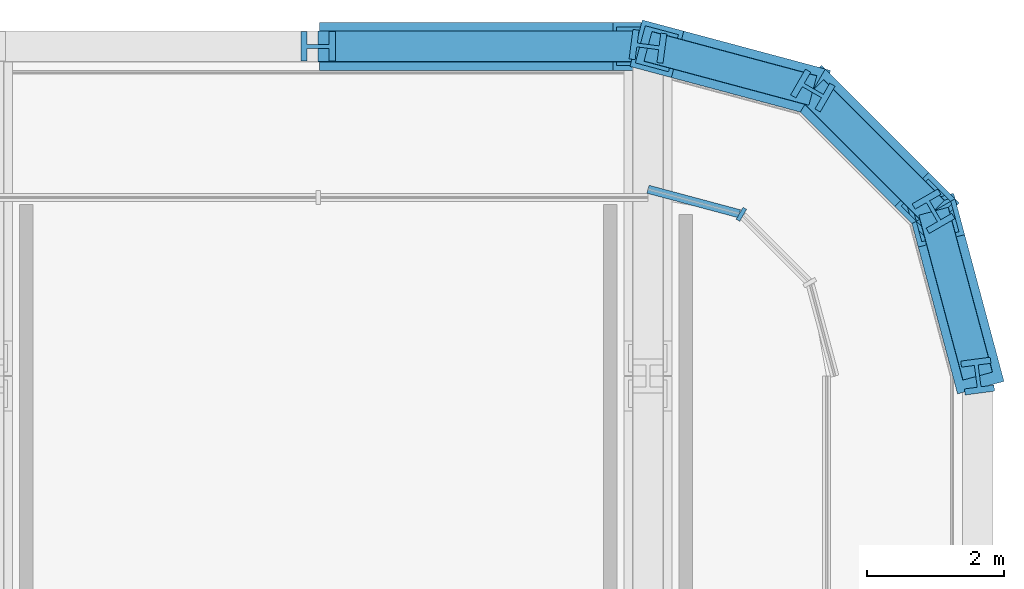
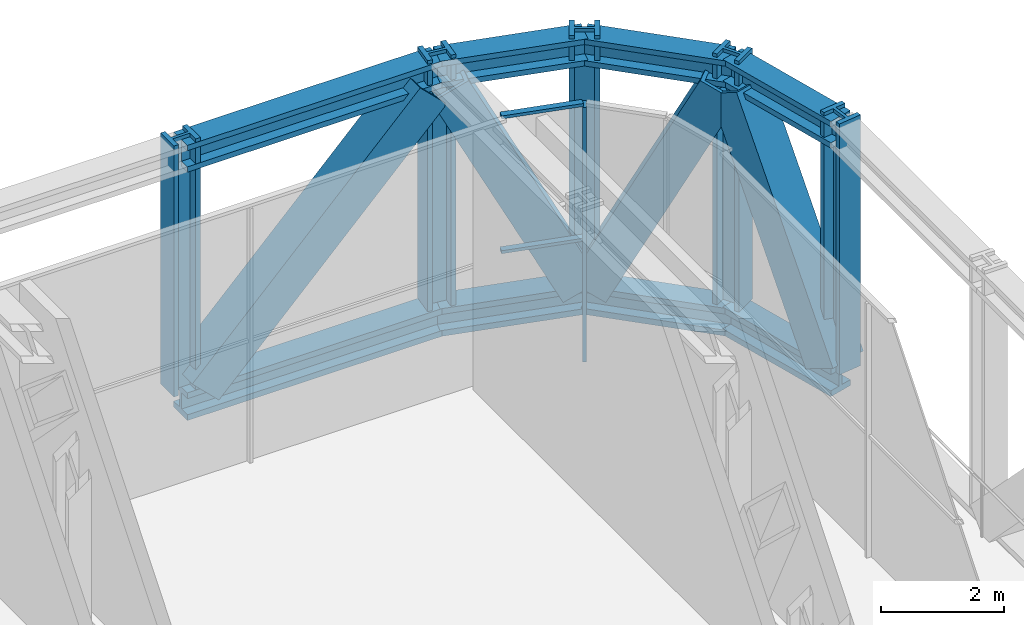
# One storey, part 11 of 23: 20 members, 1 element without a shape of its own.
"""IFC4 building model written with IfcOpenShell, lengths in metres."""

from ifc_helpers import new_model, si_unit, direction, frame, origin, origin_2d, place, context, subcontext, project, spatial, rectangle, hollow_rectangle, i_section, extrude, material, layer, layer_set, material_profile, profile_set, type_object, element, aggregate, save


model = new_model("IFC4")

# Units and contexts
model_context = context("Model", 3, precision=1e-05, world=origin(), true_north=direction((0.0, 1.0)))
body_context = subcontext(model_context, "Body", "Model", "MODEL_VIEW")
ifc_project = project(units=[si_unit("LENGTHUNIT", "METRE"), si_unit("AREAUNIT", "SQUARE_METRE"), si_unit("VOLUMEUNIT", "CUBIC_METRE"), si_unit("PLANEANGLEUNIT", "RADIAN"), si_unit("MASSUNIT", "GRAM", prefix="KILO")], contexts=[model_context])

# Site, building, storey
site_placement = place(None, origin())
site = spatial("IfcSite", under=ifc_project, at=site_placement, CompositionType="ELEMENT")
building_placement = place(site_placement, origin())
building = spatial("IfcBuilding", under=site, at=building_placement, Name="Madar Terraces", CompositionType="ELEMENT")
storey_placement = place(building_placement, frame((0.0, 0.0, 83.800048828125)))
storey = spatial("IfcBuildingStorey", under=building, at=storey_placement, Name="L21", CompositionType="ELEMENT", Elevation=83.800048828125)

# Members
ifc_material_1 = material(Name="Steel ASTM A913 Grade 65", Category="steel")
ifc_material_profile_1 = material_profile(ifc_material_1, i_section(OverallWidth=0.449462890625, OverallDepth=0.548583984375, WebThickness=0.07177734375, FlangeThickness=0.11474609375, at=origin_2d()), Name="W14x665")
ifc_profile_set_1 = profile_set([ifc_material_profile_1], Name="Steel ASTM A913 Grade 65")
member_type_1 = type_object("IfcMemberType", Name="BC3 W14x665", PredefinedType="CHORD", material=ifc_profile_set_1)
for number, where, z_axis, x_axis, name in (
    (1, (62.39990234375, 48.0, -0.145751953125), (-0.258824494443, 0.965924366126, 0.0), (-0.965924366126, -0.258824494443, 0.0), "Exoskeleton truss ring bottom chord BC3"),
    (2, (61.7568359375, 50.39990234375, -0.145751953125), (-0.70705765096, 0.707155907999, 0.0), (-0.707155907999, -0.70705765096, 0.0), "Exoskeleton truss ring bottom chord BC3"),
    (3, (60.0, 52.156982421875, -0.145751953125), (-0.965924366126, 0.258824494443, 0.0), (-0.258824494443, -0.965924366126, 0.0), "Exoskeleton truss ring bottom chord BC3"),
):
    element("IfcMember", number, at=place(storey_placement, frame(where, z_axis=z_axis, x_axis=x_axis)), inside=storey, type_object=member_type_1, Name=name, PredefinedType="CHORD", context=body_context, shape_type="SweptSolid", body=[
        extrude(i_section(OverallWidth=0.449462890625, OverallDepth=0.548583984375, WebThickness=0.07177734375, FlangeThickness=0.11474609375, at=origin_2d()), origin(), (0.0, 0.0, 1.0), 2.484619140625),
    ])
member_1_placement = place(storey_placement, frame((57.60009765625, 52.800048828125, -0.145751953125), z_axis=(-1.0, 0.0, 0.0), x_axis=(0.0, -1.0, 0.0)))
element("IfcMember", 4, at=member_1_placement, inside=storey, type_object=member_type_1, Name="Exoskeleton truss ring bottom chord BC3", PredefinedType="CHORD", context=body_context, shape_type="SweptSolid", body=[
    extrude(i_section(OverallWidth=0.449462890625, OverallDepth=0.548583984375, WebThickness=0.07177734375, FlangeThickness=0.11474609375, at=origin_2d()), origin(), (0.0, 0.0, 1.0), 4.800048828125),
])

# Curtain wall, members
ifc_material_2 = material(Name="Glass, ceramic frit dark grey, with black aluminium frame", Category="aluminium")
ifc_layer = layer(ifc_material_2, 0.199951171875)
ifc_layer_set = layer_set([ifc_layer], Name="Facade curtain wall, tall glazing")
curtain_wall_type = type_object("IfcCurtainWallType", Name="Facade curtain wall, tall glazing", PredefinedType="NOTDEFINED", material=ifc_layer_set)
curtain_wall_placement = place(storey_placement, origin())
curtain_wall = element("IfcCurtainWall", 5, at=curtain_wall_placement, inside=storey, type_object=curtain_wall_type, Name="Outer skin curtain wall north-east corner", PredefinedType="NOTDEFINED")
ifc_material_3 = material(Name="Aluminium, black anodised", Category="aluminium")
ifc_material_profile_2 = material_profile(ifc_material_3, rectangle(XDim=0.199951171875, YDim=0.06005859375, at=origin_2d()), Name="Facade mullion 60x200")
ifc_profile_set_2 = profile_set([ifc_material_profile_2], Name="Aluminium, black anodised")
member_type_2 = type_object("IfcMemberType", Name="Facade mullion 60x200", PredefinedType="MULLION", material=ifc_profile_set_2)
member_2_placement = place(storey_placement, frame((58.9599609375, 50.35546875, 0.0), z_axis=(0.0, 0.0, 1.0), x_axis=(-0.500000029202, -0.866025386925, 0.0)))
member_2 = element("IfcMember", 6, at=member_2_placement, type_object=member_type_2, Name="Mullion 2", PredefinedType="MULLION", context=body_context, shape_type="SweptSolid", body=[
    extrude(rectangle(XDim=0.199951171875, YDim=0.06005859375, at=origin_2d()), origin(), (0.0, 0.0, 1.0), 5.0400390625),
])
ifc_material_4 = material(Name="Aluminium, black anodised", Category="aluminium")
ifc_material_profile_3 = material_profile(ifc_material_4, rectangle(XDim=0.1201171875, YDim=0.06005859375, at=origin_2d()), Name="Facade transom 60x120")
ifc_profile_set_3 = profile_set([ifc_material_profile_3], Name="Aluminium, black anodised")
member_type_3 = type_object("IfcMemberType", Name="Facade transom 60x120", PredefinedType="USERDEFINED", material=ifc_profile_set_3)
member_3_placement = place(storey_placement, frame((58.930908203125, 50.36328125, 5.070068359375), z_axis=(-0.965907707525, 0.258886655787, 0.0), x_axis=(-0.258886655787, -0.965907707525, 0.0)))
member_3 = element("IfcMember", 7, at=member_3_placement, type_object=member_type_3, Name="Transom 5", ObjectType="TRANSOM", PredefinedType="USERDEFINED", context=body_context, shape_type="SweptSolid", body=[
    extrude(rectangle(XDim=0.1201171875, YDim=0.06005859375, at=origin_2d()), origin(), (0.0, 0.0, 1.0), 1.377685546875),
])
member_4_placement = place(storey_placement, frame((58.930908203125, 50.36328125, 2.39990234375), z_axis=(-0.965907707525, 0.258886655787, 0.0), x_axis=(-0.258886655787, -0.965907707525, 0.0)))
member_4 = element("IfcMember", 8, at=member_4_placement, type_object=member_type_3, Name="Transom 6", ObjectType="TRANSOM", PredefinedType="USERDEFINED", context=body_context, shape_type="SweptSolid", body=[
    extrude(rectangle(XDim=0.1201171875, YDim=0.06005859375, at=origin_2d()), origin(), (0.0, 0.0, 1.0), 1.377685546875),
])
aggregate(curtain_wall, [member_2, member_3, member_4])

# Members
ifc_material_5 = material(Name="Steel ASTM A913 Grade 65", Category="steel")
ifc_material_profile_4 = material_profile(ifc_material_5, i_section(OverallWidth=0.44189453125, OverallDepth=0.53076171875, WebThickness=0.06591796875, FlangeThickness=0.105712890625, at=origin_2d()), Name="W14x605")
ifc_profile_set_4 = profile_set([ifc_material_profile_4], Name="Steel ASTM A913 Grade 65")
member_type_4 = type_object("IfcMemberType", Name="TC3 W14x605", PredefinedType="CHORD", material=ifc_profile_set_4)
for number, where, z_axis, x_axis, name in (
    (9, (62.39990234375, 48.0, 4.764404296875), (-0.258824494443, 0.965924366126, 0.0), (-0.965924366126, -0.258824494443, 0.0), "Exoskeleton truss ring top chord TC3"),
    (10, (61.7568359375, 50.39990234375, 4.764404296875), (-0.70705765096, 0.707155907999, 0.0), (-0.707155907999, -0.70705765096, 0.0), "Exoskeleton truss ring top chord TC3"),
    (11, (60.0, 52.156982421875, 4.764404296875), (-0.965924366126, 0.258824494443, 0.0), (-0.258824494443, -0.965924366126, 0.0), "Exoskeleton truss ring top chord TC3"),
):
    element("IfcMember", number, at=place(storey_placement, frame(where, z_axis=z_axis, x_axis=x_axis)), inside=storey, type_object=member_type_4, Name=name, PredefinedType="CHORD", context=body_context, shape_type="SweptSolid", body=[
        extrude(i_section(OverallWidth=0.44189453125, OverallDepth=0.53076171875, WebThickness=0.06591796875, FlangeThickness=0.105712890625, at=origin_2d()), origin(), (0.0, 0.0, 1.0), 2.484619140625),
    ])
member_5_placement = place(storey_placement, frame((57.60009765625, 52.800048828125, 4.764404296875), z_axis=(-1.0, 0.0, 0.0), x_axis=(0.0, -1.0, 0.0)))
element("IfcMember", 12, at=member_5_placement, inside=storey, type_object=member_type_4, Name="Exoskeleton truss ring top chord TC3", PredefinedType="CHORD", context=body_context, shape_type="SweptSolid", body=[
    extrude(i_section(OverallWidth=0.44189453125, OverallDepth=0.53076171875, WebThickness=0.06591796875, FlangeThickness=0.105712890625, at=origin_2d()), origin(), (0.0, 0.0, 1.0), 4.800048828125),
])
ifc_material_6 = material(Name="Steel ASTM A572 Grade 50", Category="steel")
ifc_material_profile_5 = material_profile(ifc_material_6, hollow_rectangle(XDim=0.699951171875, YDim=0.699951171875, WallThickness=0.070068359375, at=origin_2d()), Name="BOX700x700x70")
ifc_profile_set_5 = profile_set([ifc_material_profile_5], Name="Steel ASTM A572 Grade 50")
member_type_5 = type_object("IfcMemberType", Name="TD3 BOX700x700x70", PredefinedType="BRACE", material=ifc_profile_set_5)
member_6_placement = place(storey_placement, frame((62.364013671875, 48.134033203125, 0.128662109375), z_axis=(-0.116835075179, 0.436137759307, 0.892263089069), x_axis=(-0.965941153633, -0.258761835899, 0.0)))
element("IfcMember", 13, at=member_6_placement, inside=storey, type_object=member_type_5, Name="Exoskeleton truss ring diagonal TD3", PredefinedType="BRACE", context=body_context, shape_type="SweptSolid", body=[
    extrude(hollow_rectangle(XDim=0.699951171875, YDim=0.699951171875, WallThickness=0.070068359375, at=origin_2d()), origin(), (0.0, 0.0, 1.0), 4.89794921875),
])
member_7_placement = place(storey_placement, frame((61.661865234375, 50.494873046875, 4.4990234375), z_axis=(-0.319251243571, 0.319301087637, -0.892258627816), x_axis=(-0.707161974316, -0.707051583749, 0.0)))
element("IfcMember", 14, at=member_7_placement, inside=storey, type_object=member_type_5, Name="Exoskeleton truss ring diagonal TD3", PredefinedType="BRACE", context=body_context, shape_type="SweptSolid", body=[
    extrude(hollow_rectangle(XDim=0.699951171875, YDim=0.699951171875, WallThickness=0.070068359375, at=origin_2d()), origin(), (0.0, 0.0, 1.0), 4.898193359375),
])
member_8_placement = place(storey_placement, frame((59.865966796875, 52.19287109375, 0.128662109375), z_axis=(-0.436137759307, 0.116835075179, 0.892263089069), x_axis=(-0.258761835899, -0.965941153633, 0.0)))
element("IfcMember", 15, at=member_8_placement, inside=storey, type_object=member_type_5, Name="Exoskeleton truss ring diagonal TD3", PredefinedType="BRACE", context=body_context, shape_type="SweptSolid", body=[
    extrude(hollow_rectangle(XDim=0.699951171875, YDim=0.699951171875, WallThickness=0.070068359375, at=origin_2d()), origin(), (0.0, 0.0, 1.0), 4.89794921875),
])
member_9_placement = place(storey_placement, frame((57.340576171875, 52.800048828125, 4.4990234375), z_axis=(-0.699052279579, 0.0, -0.715070563242), x_axis=(0.0, -1.0, 0.0)))
element("IfcMember", 16, at=member_9_placement, inside=storey, type_object=member_type_5, Name="Exoskeleton truss ring diagonal TD3", PredefinedType="BRACE", context=body_context, shape_type="SweptSolid", body=[
    extrude(hollow_rectangle(XDim=0.699951171875, YDim=0.699951171875, WallThickness=0.070068359375, at=origin_2d()), origin(), (0.0, 0.0, 1.0), 6.11181640625),
])
ifc_material_7 = material(Name="Steel ASTM A913 Grade 65", Category="steel")
ifc_material_profile_6 = material_profile(ifc_material_7, i_section(OverallWidth=0.431884765625, OverallDepth=0.497802734375, WebThickness=0.0556640625, FlangeThickness=0.0888671875, at=origin_2d()), Name="W14x500")
ifc_profile_set_6 = profile_set([ifc_material_profile_6], Name="Steel ASTM A913 Grade 65")
member_type_6 = type_object("IfcMemberType", Name="TV3 W14x500", PredefinedType="POST", material=ifc_profile_set_6)
for number, where, z_axis, x_axis, name in (
    (17, (62.39990234375, 48.0, 0.128662109375), (0.0, 0.0, 1.0), (-0.991444863652, -0.130526174916, 0.0), "Exoskeleton truss ring post TV3"),
    (18, (61.7568359375, 50.39990234375, 0.128662109375), (0.0, 0.0, 1.0), (-0.866025412511, -0.499999984885, 0.0), "Exoskeleton truss ring post TV3"),
    (19, (60.0, 52.156982421875, 0.128662109375), (0.0, 0.0, 1.0), (-0.499999984885, -0.866025412511, 0.0), "Exoskeleton truss ring post TV3"),
    (20, (57.60009765625, 52.800048828125, 0.128662109375), (0.0, 0.0, 1.0), (-0.130526174916, -0.991444863652, 0.0), "Exoskeleton truss ring post TV3"),
    (21, (52.800048828125, 52.800048828125, 0.128662109375), (0.0, 0.0, 1.0), (0.0, -1.0, 0.0), "Exoskeleton truss ring post TV3"),
):
    element("IfcMember", number, at=place(storey_placement, frame(where, z_axis=z_axis, x_axis=x_axis)), inside=storey, type_object=member_type_6, Name=name, PredefinedType="POST", context=body_context, shape_type="SweptSolid", body=[
        extrude(i_section(OverallWidth=0.431884765625, OverallDepth=0.497802734375, WebThickness=0.0556640625, FlangeThickness=0.0888671875, at=origin_2d()), origin(), (0.0, 0.0, 1.0), 4.97119140625),
    ])

save(model, "model.ifc")
